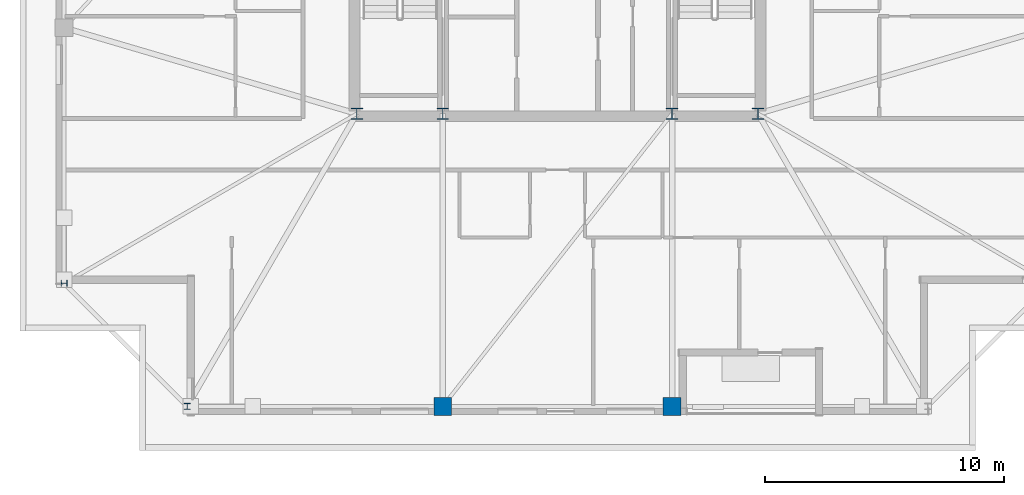
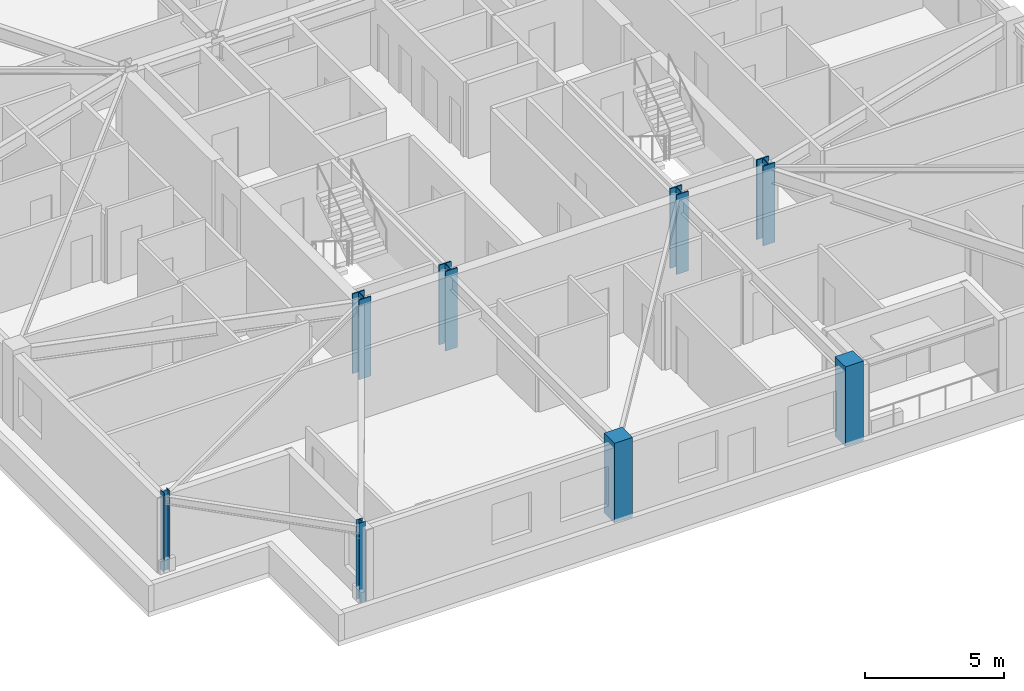
# One storey, part 1 of 15: 8 columns.
"""IFC4 building model written with IfcOpenShell, lengths in metres."""

import ifcopenshell
import ifcopenshell.guid

model = None  # the IFC model being written
_history = None  # IfcOwnerHistory: only IFC2X3 demands one
_inside = {}  # id of a spatial element -> (the spatial element, [elements in it])
_under = {}  # id of a project, library or spatial element -> (it, [spatial elements below it])
_declared = {}  # id of a project -> (the project, [libraries it declares])
_typed = {}  # id of a type object -> (the type object, [elements of that type])
_made_of = {}  # id of a material, layer set ... -> (it, [elements and type objects made of it])


def new_model(schema):
    """Start an empty IFC model of exactly this schema.

    Asked for "IFC4X3", IfcOpenShell would pick the latest addendum, in which some entities
    have other attributes; the version numbers below select the first issue.
    IFC2X3 requires an IfcOwnerHistory on every rooted entity: one is made here for all.
    """
    global model, _history
    if schema == "IFC4X3":
        model = ifcopenshell.file(schema_version=(4, 3, 0, 0))
    else:
        model = ifcopenshell.file(schema=schema)
    _inside.clear()
    _under.clear()
    _declared.clear()
    _typed.clear()
    _made_of.clear()
    _history = None
    if model.schema == "IFC2X3":
        org = make("IfcOrganization", Name="unknown")
        user = make(
            "IfcPersonAndOrganization",
            ThePerson=make("IfcPerson", FamilyName="unknown"),
            TheOrganization=org,
        )
        app = make(
            "IfcApplication",
            ApplicationDeveloper=org,
            Version="unknown",
            ApplicationFullName="unknown",
            ApplicationIdentifier="unknown",
        )
        _history = make(
            "IfcOwnerHistory",
            OwningUser=user,
            OwningApplication=app,
            ChangeAction="ADDED",
            CreationDate=0,
        )
    return model


def make(cls, **values):
    """One entity of the class cls with the attributes given. An attribute that is None is left unset."""
    return model.create_entity(
        cls, **{name: value for name, value in values.items() if value is not None}
    )


def rooted(cls, **values):
    """An entity with a GlobalId (a new one), such as an element, a storey or a relation."""
    return make(cls, GlobalId=ifcopenshell.guid.new(), OwnerHistory=_history, **values)


def si_unit(unit_type, name, prefix=None):
    """IfcSIUnit, for example si_unit("LENGTHUNIT", "METRE", prefix="MILLI")."""
    return make("IfcSIUnit", UnitType=unit_type, Prefix=prefix, Name=name)


def assignment(units):
    """IfcUnitAssignment: the units of a project."""
    return None if units is None else make("IfcUnitAssignment", Units=units)


def point(xyz):
    """IfcCartesianPoint."""
    return None if xyz is None else make("IfcCartesianPoint", Coordinates=xyz)


def direction(xyz):
    """IfcDirection."""
    return None if xyz is None else make("IfcDirection", DirectionRatios=xyz)


def frame(location, z_axis=None, x_axis=None):
    """IfcAxis2Placement3D, a coordinate frame: its origin and axes. An axis left out is left unset."""
    return make(
        "IfcAxis2Placement3D",
        Location=point(location),
        Axis=direction(z_axis),
        RefDirection=direction(x_axis),
    )


def frame_2d(location, x_axis=None):
    """IfcAxis2Placement2D, a coordinate frame in the plane: its origin and x axis."""
    return make(
        "IfcAxis2Placement2D", Location=point(location), RefDirection=direction(x_axis)
    )


def origin():
    """The frame at (0, 0, 0) with its axes left unset."""
    return frame((0.0, 0.0, 0.0))


def origin_2d():
    """The frame at (0, 0) in the plane with its x axis left unset."""
    return frame_2d((0.0, 0.0))


def place(relative_to, where):
    """IfcLocalPlacement: puts the frame where relative to a parent placement (None: the world)."""
    return make(
        "IfcLocalPlacement", PlacementRelTo=relative_to, RelativePlacement=where
    )


def context(
    kind, dimensions, precision=None, world=None, true_north=None, identifier=None
):
    """IfcGeometricRepresentationContext, for example the 3D "Model" context."""
    return make(
        "IfcGeometricRepresentationContext",
        ContextIdentifier=identifier,
        ContextType=kind,
        CoordinateSpaceDimension=dimensions,
        Precision=precision,
        WorldCoordinateSystem=world,
        TrueNorth=true_north,
    )


def subcontext(parent, identifier, kind, view, scale=None):
    """IfcGeometricRepresentationSubContext, for example "Body" below "Model"."""
    return make(
        "IfcGeometricRepresentationSubContext",
        ContextIdentifier=identifier,
        ContextType=kind,
        ParentContext=parent,
        TargetScale=scale,
        TargetView=view,
    )


def project(units=None, contexts=None):
    """IfcProject with its units and contexts."""
    return rooted(
        "IfcProject",
        Name="project",
        RepresentationContexts=contexts,
        UnitsInContext=assignment(units),
    )


def spatial(cls, under=None, at=None, **own):
    """A site, building, storey or space (cls), placed at a placement, below another one or the project."""
    s = rooted(cls, ObjectPlacement=at, **own)
    if under is not None:
        _under.setdefault(under.id(), (under, []))[1].append(s)
    return s


def profile(cls, at=None, kind="AREA", **sizes):
    """A parametric profile (cls). Its sizes go by their IFC names, for example OverallWidth=200.0."""
    return make(cls, ProfileType=kind, Position=at, **sizes)


def rectangle(**sizes):
    """IfcRectangleProfileDef."""
    return profile("IfcRectangleProfileDef", **sizes)


def i_section(**sizes):
    """IfcIShapeProfileDef."""
    return profile("IfcIShapeProfileDef", **sizes)


def extrude(swept, where, along, depth):
    """IfcExtrudedAreaSolid: the profile swept, set in the frame where, extruded along a direction by depth."""
    return make(
        "IfcExtrudedAreaSolid",
        SweptArea=swept,
        Position=where,
        ExtrudedDirection=direction(along),
        Depth=depth,
    )


def shape(context_of_items, identifier, shape_type, items):
    """IfcShapeRepresentation: the items that make up one representation, for example the "Body"."""
    return make(
        "IfcShapeRepresentation",
        ContextOfItems=context_of_items,
        RepresentationIdentifier=identifier,
        RepresentationType=shape_type,
        Items=items,
    )


def material(Name=None, Category=None):
    """IfcMaterial."""
    return make("IfcMaterial", Name=Name, Category=Category)


def material_profile(
    of_material, cross_section, Name=None, Category=None, Priority=None
):
    """IfcMaterialProfile: a cross section and its material."""
    return make(
        "IfcMaterialProfile",
        Name=Name,
        Material=of_material,
        Profile=cross_section,
        Priority=Priority,
        Category=Category,
    )


def profile_set(profiles, Name=None, composite=None):
    """IfcMaterialProfileSet."""
    return make(
        "IfcMaterialProfileSet",
        Name=Name,
        MaterialProfiles=profiles,
        CompositeProfile=composite,
    )


def made_of(thing, what):
    """Note that an element or type object is made of a material, layer set ...; save() writes the relation."""
    if what is not None:
        _made_of.setdefault(what.id(), (what, []))[1].append(thing)
    return thing


def type_object(cls, material=None, **own):
    """A type object (cls), such as IfcWallType, which elements share."""
    return made_of(rooted(cls, **own), material)


def element(
    cls,
    number,
    at=None,
    inside=None,
    cuts=None,
    type_object=None,
    material=None,
    context=None,
    identifier="Body",
    shape_type=None,
    held_by="IfcProductDefinitionShape",
    body=None,
    shapes=None,
    **own,
):
    """One element of the class cls, such as IfcWall. Its Tag is "e" and its number.

    at: its placement. inside: the storey or other place that contains it. cuts: it is an
    opening in that element (IfcRelVoidsElement). A single representation is given by context,
    identifier, shape_type and body (its items); several are given by shapes. held_by: the class
    of the entity that holds the representations. save() writes the other relations.
    """
    e = rooted(cls, Tag="e%d" % number, ObjectPlacement=at, **own)
    if body is not None:
        shapes = [shape(context, identifier, shape_type, body)]
    if shapes is not None:
        e.Representation = make(held_by, Representations=shapes)
    if inside is not None:
        _inside.setdefault(inside.id(), (inside, []))[1].append(e)
    if cuts is not None:
        rooted(
            "IfcRelVoidsElement", RelatingBuildingElement=cuts, RelatedOpeningElement=e
        )
    if type_object is not None:
        _typed.setdefault(type_object.id(), (type_object, []))[1].append(e)
    return made_of(e, material)


def aggregate(whole, parts):
    """IfcRelAggregates: a whole, such as a stair, and the parts it consists of."""
    return rooted("IfcRelAggregates", RelatingObject=whole, RelatedObjects=parts)


def save(model, path):
    """Write the relations noted so far, then the file.

    IfcRelAggregates (storeys below a building ...), IfcRelContainedInSpatialStructure (elements
    in a storey), IfcRelDefinesByType, IfcRelAssociatesMaterial and IfcRelDeclares: one each for
    every whole, place, type object, material and project.
    """
    for whole, parts in _under.values():
        aggregate(whole, parts)
    for where, things in _inside.values():
        rooted(
            "IfcRelContainedInSpatialStructure",
            RelatedElements=things,
            RelatingStructure=where,
        )
    for kind, things in _typed.values():
        rooted("IfcRelDefinesByType", RelatedObjects=things, RelatingType=kind)
    for what, things in _made_of.values():
        rooted("IfcRelAssociatesMaterial", RelatedObjects=things, RelatingMaterial=what)
    for by, libraries in _declared.values():
        rooted("IfcRelDeclares", RelatingContext=by, RelatedDefinitions=libraries)
    model.write(path)


model = new_model("IFC4")

# Units and contexts
model_context = context("Model", 3, precision=1e-05, world=origin(), true_north=direction((0.0, 1.0)))
body_context = subcontext(model_context, "Body", "Model", "MODEL_VIEW")
ifc_project = project(units=[si_unit("LENGTHUNIT", "METRE"), si_unit("AREAUNIT", "SQUARE_METRE"), si_unit("VOLUMEUNIT", "CUBIC_METRE"), si_unit("PLANEANGLEUNIT", "RADIAN"), si_unit("MASSUNIT", "GRAM", prefix="KILO")], contexts=[model_context])

# Site, building, storey
site_placement = place(None, origin())
site = spatial("IfcSite", under=ifc_project, at=site_placement, CompositionType="ELEMENT")
building_placement = place(site_placement, origin())
building = spatial("IfcBuilding", under=site, at=building_placement, Name="Cairnveth Concourse Tower", CompositionType="ELEMENT")
storey_placement = place(building_placement, frame((0.0, 0.0, 280.5)))
storey = spatial("IfcBuildingStorey", under=building, at=storey_placement, Name="L77", CompositionType="ELEMENT", Elevation=280.5)

# Columns
ifc_material_1 = material(Name="Concrete N50 (50 MPa)", Category="concrete")
ifc_material_profile_1 = material_profile(ifc_material_1, rectangle(XDim=0.75, YDim=0.75, at=origin_2d()), Name="RC-COL-750x750")
ifc_profile_set_1 = profile_set([ifc_material_profile_1], Name="Concrete N50 (50 MPa)")
column_type_1 = type_object("IfcColumnType", Name="PERIMETER PIER COLUMN 750X750", PredefinedType="COLUMN", material=ifc_profile_set_1)
for number, where, z_axis, x_axis, name in (
    (1, (47.199951171875, 18.35009765625, 0.0), (0.0, 0.0, 1.0), (1.0, 0.0, 0.0), "Column P-S2 L77"),
    (2, (56.800048828125, 18.35009765625, 0.0), (0.0, 0.0, 1.0), (1.0, 0.0, 0.0), "Column P-S3 L77"),
):
    element("IfcColumn", number, at=place(storey_placement, frame(where, z_axis=z_axis, x_axis=x_axis)), inside=storey, type_object=column_type_1, Name=name, PredefinedType="COLUMN", context=body_context, shape_type="SweptSolid", body=[
        extrude(rectangle(XDim=0.75, YDim=0.75, at=origin_2d()), origin(), (0.0, 0.0, 1.0), 3.5),
    ])
ifc_material_2 = material(Name="Steel Grade 350", Category="steel")
ifc_material_profile_2 = material_profile(ifc_material_2, i_section(OverallWidth=0.25390625, OverallDepth=0.25390625, WebThickness=0.008544921875, FlangeThickness=0.01416015625, FilletRadius=0.012939453125, at=origin_2d()), Name="250UC72.9")
ifc_profile_set_2 = profile_set([ifc_material_profile_2], Name="Steel Grade 350")
column_type_2 = type_object("IfcColumnType", Name="UNIVERSAL STEEL COLUMN 250UC72.9", PredefinedType="COLUMN", material=ifc_profile_set_2)
for number, where, z_axis, x_axis, name in (
    (3, (36.5, 18.35009765625, 0.0), (0.0, 0.0, 1.0), (1.0, 0.0, 0.0), "Column P-S1 L77"),
    (4, (31.35009765625, 23.5, 0.0), (0.0, 0.0, 1.0), (0.0, 1.0, 0.0), "Column P-W4 L77"),
):
    element("IfcColumn", number, at=place(storey_placement, frame(where, z_axis=z_axis, x_axis=x_axis)), inside=storey, type_object=column_type_2, Name=name, PredefinedType="COLUMN", context=body_context, shape_type="SweptSolid", body=[
        extrude(i_section(OverallWidth=0.25390625, OverallDepth=0.25390625, WebThickness=0.008544921875, FlangeThickness=0.01416015625, FilletRadius=0.012939453125, at=origin_2d()), origin(), (0.0, 0.0, 1.0), 3.5),
    ])
ifc_material_profile_3 = material_profile(ifc_material_2, i_section(OverallWidth=0.5, OverallDepth=0.5, WebThickness=0.028076171875, FlangeThickness=0.044921875, at=origin_2d()), Name="500WC383")
ifc_profile_set_3 = profile_set([ifc_material_profile_3], Name="Steel Grade 350")
column_type_3 = type_object("IfcColumnType", Name="WELDED STEEL COLUMN 500WC383", PredefinedType="COLUMN", material=ifc_profile_set_3)
for number, where, z_axis, x_axis, name in (
    (5, (43.60009765625, 30.60009765625, 0.0), (0.0, 0.0, 1.0), (1.0, 0.0, 0.0), "Column CC1 L77"),
    (6, (47.199951171875, 30.60009765625, 0.0), (0.0, 0.0, 1.0), (1.0, 0.0, 0.0), "Column CC2 L77"),
    (7, (56.800048828125, 30.60009765625, 0.0), (0.0, 0.0, 1.0), (1.0, 0.0, 0.0), "Column CC3 L77"),
    (8, (60.39990234375, 30.60009765625, 0.0), (0.0, 0.0, 1.0), (1.0, 0.0, 0.0), "Column CC4 L77"),
):
    element("IfcColumn", number, at=place(storey_placement, frame(where, z_axis=z_axis, x_axis=x_axis)), inside=storey, type_object=column_type_3, Name=name, PredefinedType="COLUMN", context=body_context, shape_type="SweptSolid", body=[
        extrude(i_section(OverallWidth=0.5, OverallDepth=0.5, WebThickness=0.028076171875, FlangeThickness=0.044921875, at=origin_2d()), origin(), (0.0, 0.0, 1.0), 3.5),
    ])

save(model, "model.ifc")
